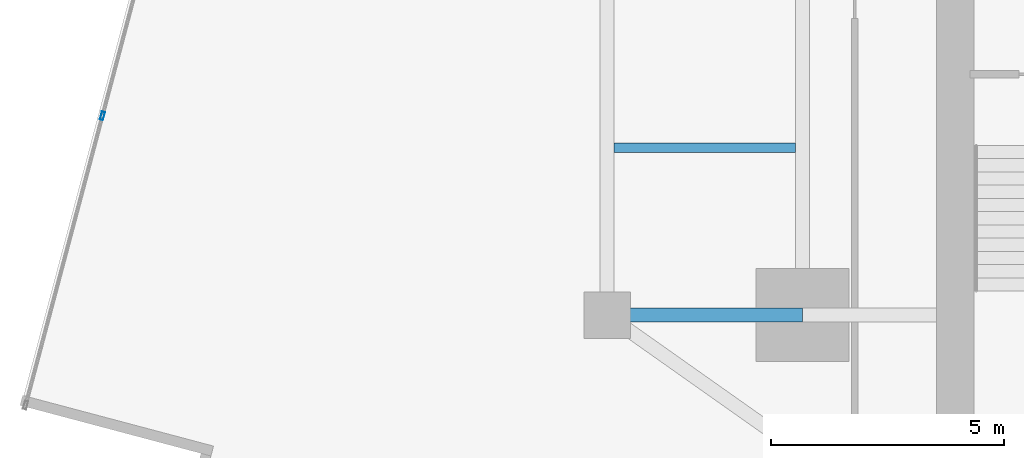
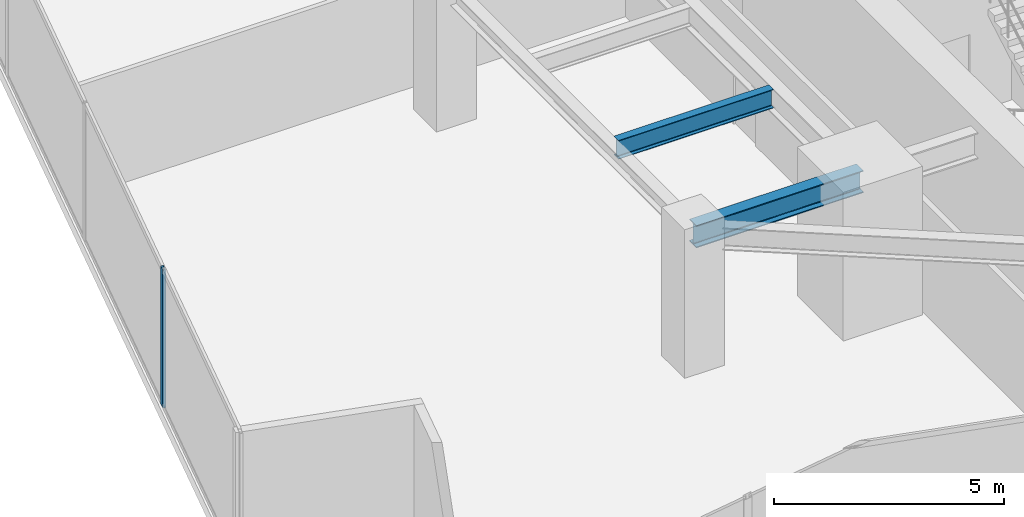
# One storey, part 6 of 27: 2 beams, 1 member, 1 element without a shape of its own.
"""IFC4 building model written with IfcOpenShell, lengths in metres."""

from ifc_helpers import new_model, si_unit, direction, frame, origin, origin_2d, place, context, subcontext, project, spatial, hollow_rectangle, i_section, extrude, source, transform, mapped, material, material_profile, profile_set, type_object, type_shapes, element, aggregate, save


model = new_model("IFC4")

# Units and contexts
model_context = context("Model", 3, precision=1e-05, world=origin(), true_north=direction((0.0, 1.0)))
body_context = subcontext(model_context, "Body", "Model", "MODEL_VIEW")
ifc_project = project(units=[si_unit("LENGTHUNIT", "METRE"), si_unit("AREAUNIT", "SQUARE_METRE"), si_unit("VOLUMEUNIT", "CUBIC_METRE"), si_unit("PLANEANGLEUNIT", "RADIAN"), si_unit("MASSUNIT", "GRAM", prefix="KILO")], contexts=[model_context])

# Site, building, storey
site_placement = place(None, origin())
site = spatial("IfcSite", under=ifc_project, at=site_placement, CompositionType="ELEMENT")
building_placement = place(site_placement, origin())
building = spatial("IfcBuilding", under=site, at=building_placement, Name="Krantzveldt Concourse Tower", CompositionType="ELEMENT")
storey_placement = place(building_placement, frame((0.0, 0.0, 101.89990234375)))
storey = spatial("IfcBuildingStorey", under=building, at=storey_placement, Name="L24", CompositionType="ELEMENT", Elevation=101.89990234375)

# Beams
ifc_material_1 = material(Name="Steel S355JR", Category="steel")
ifc_material_profile_1 = material_profile(ifc_material_1, i_section(OverallWidth=0.300048828125, OverallDepth=0.590087890625, WebThickness=0.012939453125, FlangeThickness=0.02490234375, FilletRadius=0.027099609375, at=origin_2d()), Name="Steel S355JR", Category="steel")
ifc_profile_set_1 = profile_set([ifc_material_profile_1], Name="Steel S355JR - HEA 600")
beam_type_1 = type_object("IfcBeamType", Name="BM-B-HEA600", PredefinedType="BEAM", material=ifc_profile_set_1)
shared_shape_1 = source(origin(), body_context, "Body", "SweptSolid", [
    extrude(i_section(OverallWidth=0.300048828125, OverallDepth=0.590087890625, WebThickness=0.012939453125, FlangeThickness=0.02490234375, FilletRadius=0.027099609375, at=origin_2d()), origin(), (0.0, 0.0, 1.0), 4.199951171875),
])
type_shapes(beam_type_1, [shared_shape_1])
beam_1_placement = place(storey_placement, frame((21.0, 15.89990234375, 3.375), z_axis=(1.0, 0.0, 0.0), x_axis=(0.0, 1.0, 0.0)))
element("IfcBeam", 1, at=beam_1_placement, inside=storey, type_object=beam_type_1, Name="L24 Tower Girder BR-RL1", PredefinedType="BEAM", context=body_context, shape_type="MappedRepresentation", body=[
    mapped(shared_shape_1, transform((0.0, 0.0, 0.0), x_axis=(1.0, 0.0, 0.0), y_axis=(0.0, 1.0, 0.0), z_axis=(0.0, 0.0, 1.0), scale=1.0)),
])
ifc_material_profile_2 = material_profile(ifc_material_1, i_section(OverallWidth=0.199951171875, OverallDepth=0.5, WebThickness=0.01025390625, FlangeThickness=0.01611328125, FilletRadius=0.02099609375, at=origin_2d()), Name="Steel S355JR", Category="steel")
ifc_profile_set_2 = profile_set([ifc_material_profile_2], Name="Steel S355JR - IPE 500")
beam_type_2 = type_object("IfcBeamType", Name="BM-J-IPE500", PredefinedType="JOIST", material=ifc_profile_set_2)
shared_shape_2 = source(origin(), body_context, "Body", "SweptSolid", [
    extrude(i_section(OverallWidth=0.199951171875, OverallDepth=0.5, WebThickness=0.01025390625, FlangeThickness=0.01611328125, FilletRadius=0.02099609375, at=origin_2d()), origin(), (0.0, 0.0, 1.0), 3.900146484375),
])
type_shapes(beam_type_2, [shared_shape_2])
beam_2_placement = place(storey_placement, frame((21.14990234375, 19.5, 3.420166015625), z_axis=(1.0, 0.0, 0.0), x_axis=(0.0, 1.0, 0.0)))
element("IfcBeam", 2, at=beam_2_placement, inside=storey, type_object=beam_type_2, Name="L24 Secondary Floor Joist JW-1", PredefinedType="JOIST", context=body_context, shape_type="MappedRepresentation", body=[
    mapped(shared_shape_2, transform((0.0, 0.0, 0.0), x_axis=(1.0, 0.0, 0.0), y_axis=(0.0, 1.0, 0.0), z_axis=(0.0, 0.0, 1.0), scale=1.0)),
])

# Curtain wall, member
ifc_material_2 = material(Name="Anodised aluminium 6063-T6", Category="aluminium")
curtain_wall_type = type_object("IfcCurtainWallType", Name="CW2", PredefinedType="USERDEFINED", material=ifc_material_2)
curtain_wall_placement = place(storey_placement, origin())
curtain_wall = element("IfcCurtainWall", 3, at=curtain_wall_placement, inside=storey, type_object=curtain_wall_type, Name="CW-L24-F01", ObjectType="UNITISED CURTAIN WALL", PredefinedType="USERDEFINED")
ifc_material_profile_3 = material_profile(ifc_material_2, hollow_rectangle(XDim=0.070068359375, YDim=0.179931640625, WallThickness=0.0048828125, at=origin_2d()), Name="Anodised aluminium 6063-T6", Category="aluminium")
ifc_profile_set_3 = profile_set([ifc_material_profile_3], Name="Anodised aluminium 6063-T6 - ALU-MULL 180x70x5")
member_type = type_object("IfcMemberType", Name="CW-MUL-180", PredefinedType="MULLION", material=ifc_profile_set_3)
shared_shape_3 = source(origin(), body_context, "Body", "SweptSolid", [
    extrude(hollow_rectangle(XDim=0.070068359375, YDim=0.179931640625, WallThickness=0.0048828125, at=origin_2d()), origin(), (0.0, 0.0, 1.0), 3.670166015625),
])
type_shapes(member_type, [shared_shape_3])
member_placement = place(storey_placement, frame((10.151123046875, 20.18408203125, 0.0), z_axis=(0.0, 0.0, 1.0), x_axis=(0.966488186373, -0.256711093648, 0.0)))
member = element("IfcMember", 4, at=member_placement, type_object=member_type, Name="CW-Z12 mullion 6", PredefinedType="MULLION", context=body_context, shape_type="MappedRepresentation", body=[
    mapped(shared_shape_3, transform((0.0, 0.0, 0.0), x_axis=(1.0, 0.0, 0.0), y_axis=(0.0, 1.0, 0.0), z_axis=(0.0, 0.0, 1.0), scale=1.0)),
])
aggregate(curtain_wall, [member])

save(model, "model.ifc")
